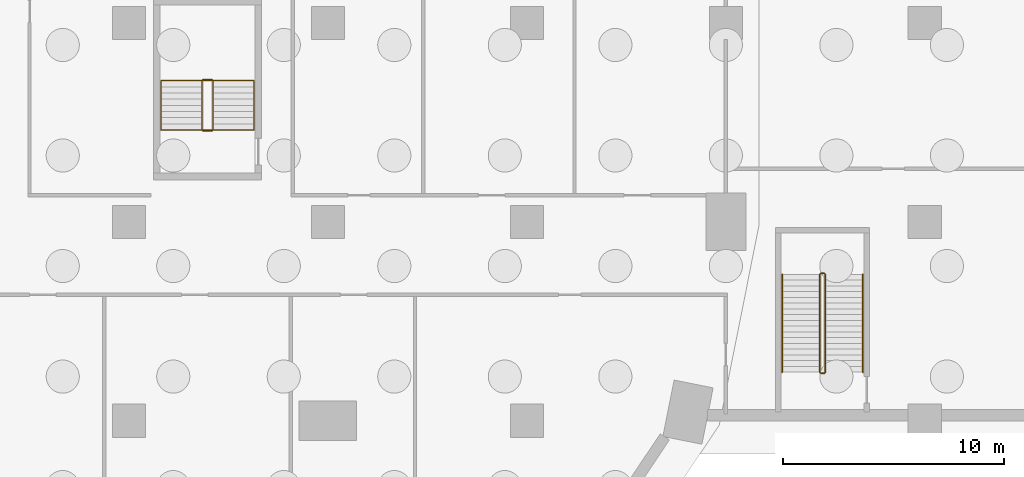
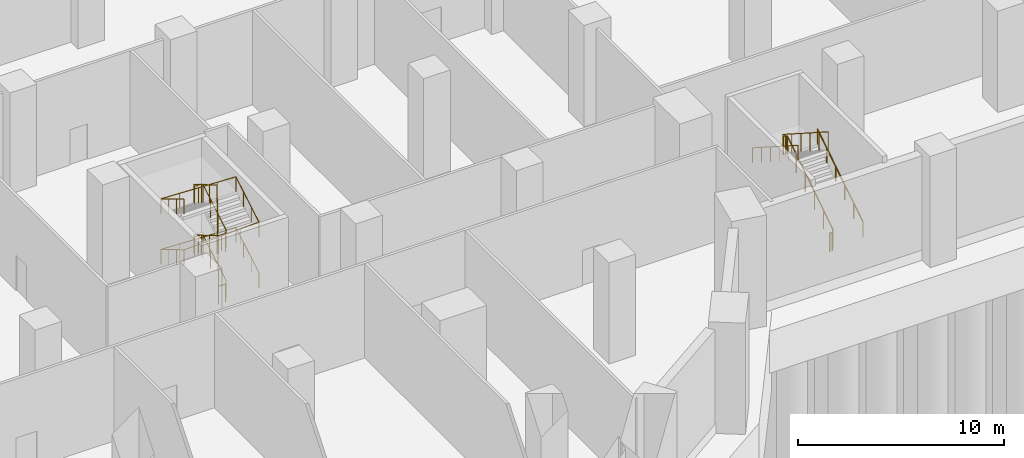
# One storey, part 17 of 25: 8 railings.
"""IFC4 building model written with IfcOpenShell, lengths in metres."""

from ifc_helpers import new_model, si_unit, direction, frame, origin, origin_2d, place, context, subcontext, project, spatial, circle, extrude, material, type_object, element, save


model = new_model("IFC4")

# Units and contexts
model_context = context("Model", 3, precision=1e-05, world=origin(), true_north=direction((0.0, 1.0)))
body_context = subcontext(model_context, "Body", "Model", "MODEL_VIEW")
ifc_project = project(units=[si_unit("LENGTHUNIT", "METRE"), si_unit("AREAUNIT", "SQUARE_METRE"), si_unit("VOLUMEUNIT", "CUBIC_METRE"), si_unit("PLANEANGLEUNIT", "RADIAN"), si_unit("MASSUNIT", "GRAM", prefix="KILO")], contexts=[model_context])

# Site, building, storey
site_placement = place(None, origin())
site = spatial("IfcSite", under=ifc_project, at=site_placement, CompositionType="ELEMENT")
building_placement = place(site_placement, origin())
building = spatial("IfcBuilding", under=site, at=building_placement, Name="Hunhe Ridgeline Campus", CompositionType="ELEMENT")
storey_placement = place(building_placement, frame((0.0, 0.0, -6.0)))
storey = spatial("IfcBuildingStorey", under=building, at=storey_placement, Name="B1", CompositionType="ELEMENT", Elevation=-6.0)

# Railings
ifc_material_1 = material(Name="Steel Q235", Category="steel")
railing_type_1 = type_object("IfcRailingType", Name="Podium stair guard 1100", PredefinedType="GUARDRAIL", material=ifc_material_1)
railing_1_placement = place(storey_placement, frame((49.5, 20.199951171875, 0.166748046875)))
element("IfcRailing", 1, at=railing_1_placement, inside=storey, type_object=railing_type_1, Name="B1 PS1 stair guard 1", PredefinedType="GUARDRAIL", context=body_context, shape_type="SweptSolid", body=[
    extrude(circle(Radius=0.02392578125, at=origin_2d()), frame((0.0, 0.0, 1.076171875), z_axis=(0.0, 0.841895389996, 0.53964076227), x_axis=(-1.0, 0.0, 0.0)), (0.0, 0.0, 1.0), 5.250244140625),
    extrude(circle(Radius=0.02099609375, at=origin_2d()), origin(), (0.0, 0.0, 1.0), 1.052001953125),
    extrude(circle(Radius=0.02099609375, at=origin_2d()), frame((0.0, 0.884033203125, 0.566650390625)), (0.0, 0.0, 1.0), 1.052001953125),
    extrude(circle(Radius=0.02099609375, at=origin_2d()), frame((0.0, 1.76806640625, 1.13330078125)), (0.0, 0.0, 1.0), 1.052001953125),
    extrude(circle(Radius=0.02099609375, at=origin_2d()), frame((0.0, 2.652099609375, 1.699951171875)), (0.0, 0.0, 1.0), 1.052001953125),
    extrude(circle(Radius=0.02099609375, at=origin_2d()), frame((0.0, 3.5361328125, 2.2666015625)), (0.0, 0.0, 1.0), 1.052001953125),
    extrude(circle(Radius=0.02099609375, at=origin_2d()), frame((0.0, 4.420166015625, 2.833251953125)), (0.0, 0.0, 1.0), 1.052001953125),
])
railing_2_placement = place(storey_placement, frame((49.449951171875, 24.669921875, 3.0)))
element("IfcRailing", 2, at=railing_2_placement, inside=storey, type_object=railing_type_1, Name="B1 PS1 stair guard 2", PredefinedType="GUARDRAIL", context=body_context, shape_type="SweptSolid", body=[
    extrude(circle(Radius=0.02392578125, at=origin_2d()), frame((0.0, 0.0, 1.076171875), z_axis=(-1.0, 0.0, 0.0), x_axis=(0.0, -1.0, 0.0)), (0.0, 0.0, 1.0), 0.14990234375),
    extrude(circle(Radius=0.02099609375, at=origin_2d()), origin(), (0.0, 0.0, 1.0), 1.052001953125),
    extrude(circle(Radius=0.02099609375, at=origin_2d()), frame((-0.14990234375, 0.0, 0.0)), (0.0, 0.0, 1.0), 1.052001953125),
])
railing_3_placement = place(storey_placement, frame((49.25, 24.6201171875, 3.166748046875)))
element("IfcRailing", 3, at=railing_3_placement, inside=storey, type_object=railing_type_1, Name="B1 PS1 stair guard 3", PredefinedType="GUARDRAIL", context=body_context, shape_type="SweptSolid", body=[
    extrude(circle(Radius=0.02392578125, at=origin_2d()), frame((0.0, 0.0, 1.076171875), z_axis=(0.0, -0.841895389996, 0.53964076227), x_axis=(1.0, 0.0, 0.0)), (0.0, 0.0, 1.0), 5.250244140625),
    extrude(circle(Radius=0.02099609375, at=origin_2d()), origin(), (0.0, 0.0, 1.0), 1.052001953125),
    extrude(circle(Radius=0.02099609375, at=origin_2d()), frame((0.0, -0.884033203125, 0.566650390625)), (0.0, 0.0, 1.0), 1.052001953125),
    extrude(circle(Radius=0.02099609375, at=origin_2d()), frame((0.0, -1.76806640625, 1.13330078125)), (0.0, 0.0, 1.0), 1.052001953125),
    extrude(circle(Radius=0.02099609375, at=origin_2d()), frame((0.0, -2.652099609375, 1.699951171875)), (0.0, 0.0, 1.0), 1.052001953125),
    extrude(circle(Radius=0.02099609375, at=origin_2d()), frame((0.0, -3.5361328125, 2.2666015625)), (0.0, 0.0, 1.0), 1.052001953125),
    extrude(circle(Radius=0.02099609375, at=origin_2d()), frame((0.0, -4.420166015625, 2.833251953125)), (0.0, 0.0, 1.0), 1.052001953125),
])
railing_4_placement = place(storey_placement, frame((49.449951171875, 20.14990234375, 0.0)))
element("IfcRailing", 4, at=railing_4_placement, inside=storey, type_object=railing_type_1, Name="B1 PS1 stair guard 4", PredefinedType="GUARDRAIL", context=body_context, shape_type="SweptSolid", body=[
    extrude(circle(Radius=0.02392578125, at=origin_2d()), frame((0.0, 0.0, 1.076171875), z_axis=(-1.0, 0.0, 0.0), x_axis=(0.0, -1.0, 0.0)), (0.0, 0.0, 1.0), 0.14990234375),
    extrude(circle(Radius=0.02099609375, at=origin_2d()), origin(), (0.0, 0.0, 1.0), 1.052001953125),
    extrude(circle(Radius=0.02099609375, at=origin_2d()), frame((-0.14990234375, 0.0, 0.0)), (0.0, 0.0, 1.0), 1.052001953125),
])
railing_type_2 = type_object("IfcRailingType", Name="Podium stair handrail", PredefinedType="HANDRAIL", material=ifc_material_1)
railing_5_placement = place(storey_placement, frame((51.199951171875, 20.199951171875, 0.166748046875)))
element("IfcRailing", 5, at=railing_5_placement, inside=storey, type_object=railing_type_2, Name="B1 PS1 stair handrail 1", PredefinedType="HANDRAIL", context=body_context, shape_type="SweptSolid", body=[
    extrude(circle(Radius=0.02392578125, at=origin_2d()), frame((0.0, 0.0, 0.8759765625), z_axis=(0.0, 0.841895389996, 0.53964076227), x_axis=(-1.0, 0.0, 0.0)), (0.0, 0.0, 1.0), 5.250244140625),
    extrude(circle(Radius=0.02099609375, at=origin_2d()), origin(), (0.0, 0.0, 1.0), 0.851806640625),
    extrude(circle(Radius=0.02099609375, at=origin_2d()), frame((0.0, 0.884033203125, 0.566650390625)), (0.0, 0.0, 1.0), 0.851806640625),
    extrude(circle(Radius=0.02099609375, at=origin_2d()), frame((0.0, 1.76806640625, 1.13330078125)), (0.0, 0.0, 1.0), 0.851806640625),
    extrude(circle(Radius=0.02099609375, at=origin_2d()), frame((0.0, 2.652099609375, 1.699951171875)), (0.0, 0.0, 1.0), 0.851806640625),
    extrude(circle(Radius=0.02099609375, at=origin_2d()), frame((0.0, 3.5361328125, 2.2666015625)), (0.0, 0.0, 1.0), 0.851806640625),
    extrude(circle(Radius=0.02099609375, at=origin_2d()), frame((0.0, 4.420166015625, 2.833251953125)), (0.0, 0.0, 1.0), 0.851806640625),
])
railing_6_placement = place(storey_placement, frame((47.550048828125, 24.6201171875, 3.166748046875)))
element("IfcRailing", 6, at=railing_6_placement, inside=storey, type_object=railing_type_2, Name="B1 PS1 stair handrail 2", PredefinedType="HANDRAIL", context=body_context, shape_type="SweptSolid", body=[
    extrude(circle(Radius=0.02392578125, at=origin_2d()), frame((0.0, 0.0, 0.8759765625), z_axis=(0.0, -0.841895389996, 0.53964076227), x_axis=(1.0, 0.0, 0.0)), (0.0, 0.0, 1.0), 5.250244140625),
    extrude(circle(Radius=0.02099609375, at=origin_2d()), origin(), (0.0, 0.0, 1.0), 0.851806640625),
    extrude(circle(Radius=0.02099609375, at=origin_2d()), frame((0.0, -0.884033203125, 0.566650390625)), (0.0, 0.0, 1.0), 0.851806640625),
    extrude(circle(Radius=0.02099609375, at=origin_2d()), frame((0.0, -1.76806640625, 1.13330078125)), (0.0, 0.0, 1.0), 0.851806640625),
    extrude(circle(Radius=0.02099609375, at=origin_2d()), frame((0.0, -2.652099609375, 1.699951171875)), (0.0, 0.0, 1.0), 0.851806640625),
    extrude(circle(Radius=0.02099609375, at=origin_2d()), frame((0.0, -3.5361328125, 2.2666015625)), (0.0, 0.0, 1.0), 0.851806640625),
    extrude(circle(Radius=0.02099609375, at=origin_2d()), frame((0.0, -4.420166015625, 2.833251953125)), (0.0, 0.0, 1.0), 0.851806640625),
])
ifc_material_2 = material(Name="Stainless steel balustrade", Category="steel")
railing_type_3 = type_object("IfcRailingType", Name="Stair guard 1100 stainless", PredefinedType="GUARDRAIL", material=ifc_material_2)
railing_7_placement = place(storey_placement, frame((21.800048828125, 31.14990234375, 0.166748046875)))
element("IfcRailing", 7, at=railing_7_placement, inside=storey, type_object=railing_type_3, Name="B1 stair W3 guard", PredefinedType="GUARDRAIL", context=body_context, shape_type="SweptSolid", body=[
    extrude(circle(Radius=0.02392578125, at=origin_2d()), frame((0.0, 0.0, 1.076171875), z_axis=(0.0, 0.859305625298, 0.511462454469), x_axis=(-1.0, 0.0, 0.0)), (0.0, 0.0, 1.0), 2.606689453125),
    extrude(circle(Radius=0.02392578125, at=origin_2d()), frame((0.0, 2.239990234375, 2.4091796875), z_axis=(-0.707106781187, 0.707106781187, 0.0), x_axis=(-0.707106781187, -0.707106781187, 0.0)), (0.0, 0.0, 1.0), 0.07080078125),
    extrude(circle(Radius=0.02392578125, at=origin_2d()), frame((-0.050048828125, 2.2900390625, 2.4091796875), z_axis=(-1.0, 0.0, 0.0), x_axis=(0.0, -1.0, 0.0)), (0.0, 0.0, 1.0), 0.39990234375),
    extrude(circle(Radius=0.02392578125, at=origin_2d()), frame((-0.449951171875, 2.2900390625, 2.4091796875), z_axis=(-0.27628659633, -0.27628659633, 0.920506074601), x_axis=(0.707106781187, -0.707106781187, 0.0)), (0.0, 0.0, 1.0), 0.18115234375),
    extrude(circle(Radius=0.02392578125, at=origin_2d()), frame((-0.5, 2.239990234375, 2.576171875), z_axis=(0.0, -0.859305625298, 0.511462454469), x_axis=(1.0, 0.0, 0.0)), (0.0, 0.0, 1.0), 2.606689453125),
    extrude(circle(Radius=0.02392578125, at=origin_2d()), frame((-0.5, 0.0, 3.9091796875), z_axis=(0.708833529934, -0.705375805398, 0.0), x_axis=(0.705375805398, 0.708833529934, 0.0)), (0.0, 0.0, 1.0), 0.070556640625),
    extrude(circle(Radius=0.02392578125, at=origin_2d()), frame((-0.449951171875, -0.0498046875, 3.9091796875), z_axis=(1.0, 0.0, 0.0), x_axis=(0.0, 1.0, 0.0)), (0.0, 0.0, 1.0), 0.39990234375),
    extrude(circle(Radius=0.02392578125, at=origin_2d()), frame((-0.050048828125, -0.0498046875, 3.9091796875), z_axis=(0.276389281352, 0.275041040955, 0.920848191041), x_axis=(-0.705375805398, 0.708833529934, 0.0)), (0.0, 0.0, 1.0), 0.18115234375),
    extrude(circle(Radius=0.02392578125, at=origin_2d()), frame((0.0, 0.0, 4.076171875), z_axis=(0.0, 0.859305625298, 0.511462454469), x_axis=(-1.0, 0.0, 0.0)), (0.0, 0.0, 1.0), 2.606689453125),
    extrude(circle(Radius=0.02392578125, at=origin_2d()), frame((0.0, 2.239990234375, 5.4091796875), z_axis=(-0.707106781187, 0.707106781187, 0.0), x_axis=(-0.707106781187, -0.707106781187, 0.0)), (0.0, 0.0, 1.0), 0.07080078125),
    extrude(circle(Radius=0.02392578125, at=origin_2d()), frame((-0.050048828125, 2.2900390625, 5.4091796875), z_axis=(-1.0, 0.0, 0.0), x_axis=(0.0, -1.0, 0.0)), (0.0, 0.0, 1.0), 0.39990234375),
    extrude(circle(Radius=0.02392578125, at=origin_2d()), frame((-0.449951171875, 2.2900390625, 5.4091796875), z_axis=(-0.27628659633, -0.27628659633, 0.920506074601), x_axis=(0.707106781187, -0.707106781187, 0.0)), (0.0, 0.0, 1.0), 0.18115234375),
    extrude(circle(Radius=0.02392578125, at=origin_2d()), frame((-0.5, 2.239990234375, 5.576171875), z_axis=(0.0, -0.859305625298, 0.511462454469), x_axis=(1.0, 0.0, 0.0)), (0.0, 0.0, 1.0), 2.606689453125),
    extrude(circle(Radius=0.02392578125, at=origin_2d()), frame((-0.5, 0.0, 6.9091796875), z_axis=(0.008340893838, -0.008300206551, -0.999930765634), x_axis=(1.0, 0.0, 0.0)), (0.0, 0.0, 1.0), 6.00048828125),
    extrude(circle(Radius=0.02392578125, at=origin_2d()), frame((-0.449951171875, -0.0498046875, 0.9091796875), z_axis=(1.0, 0.0, 0.0), x_axis=(0.0, 1.0, 0.0)), (0.0, 0.0, 1.0), 0.39990234375),
    extrude(circle(Radius=0.02099609375, at=origin_2d()), origin(), (0.0, 0.0, 1.0), 1.052001953125),
    extrude(circle(Radius=0.02099609375, at=origin_2d()), frame((0.0, 0.74658203125, 0.4443359375)), (0.0, 0.0, 1.0), 1.052001953125),
    extrude(circle(Radius=0.02099609375, at=origin_2d()), frame((0.0, 1.493408203125, 0.888916015625)), (0.0, 0.0, 1.0), 1.052001953125),
    extrude(circle(Radius=0.02099609375, at=origin_2d()), frame((0.0, 2.239990234375, 1.333251953125)), (0.0, 0.0, 1.0), 1.052001953125),
    extrude(circle(Radius=0.02099609375, at=origin_2d()), frame((-0.050048828125, 2.2900390625, 1.333251953125)), (0.0, 0.0, 1.0), 1.052001953125),
    extrude(circle(Radius=0.02099609375, at=origin_2d()), frame((-0.449951171875, 2.2900390625, 1.333251953125)), (0.0, 0.0, 1.0), 1.052001953125),
    extrude(circle(Radius=0.02099609375, at=origin_2d()), frame((-0.5, 2.239990234375, 1.5)), (0.0, 0.0, 1.0), 1.052001953125),
    extrude(circle(Radius=0.02099609375, at=origin_2d()), frame((-0.5, 1.493408203125, 1.9443359375)), (0.0, 0.0, 1.0), 1.052001953125),
    extrude(circle(Radius=0.02099609375, at=origin_2d()), frame((-0.5, 0.74658203125, 2.388916015625)), (0.0, 0.0, 1.0), 1.052001953125),
    extrude(circle(Radius=0.02099609375, at=origin_2d()), frame((-0.5, 0.0, 2.833251953125)), (0.0, 0.0, 1.0), 1.052001953125),
    extrude(circle(Radius=0.02099609375, at=origin_2d()), frame((-0.449951171875, -0.0498046875, 2.833251953125)), (0.0, 0.0, 1.0), 1.052001953125),
    extrude(circle(Radius=0.02099609375, at=origin_2d()), frame((-0.050048828125, -0.0498046875, 2.833251953125)), (0.0, 0.0, 1.0), 1.052001953125),
    extrude(circle(Radius=0.02099609375, at=origin_2d()), frame((0.0, 0.0, 3.0)), (0.0, 0.0, 1.0), 1.052001953125),
    extrude(circle(Radius=0.02099609375, at=origin_2d()), frame((0.0, 0.74658203125, 3.4443359375)), (0.0, 0.0, 1.0), 1.052001953125),
    extrude(circle(Radius=0.02099609375, at=origin_2d()), frame((0.0, 1.493408203125, 3.888916015625)), (0.0, 0.0, 1.0), 1.052001953125),
    extrude(circle(Radius=0.02099609375, at=origin_2d()), frame((0.0, 2.239990234375, 4.333251953125)), (0.0, 0.0, 1.0), 1.052001953125),
    extrude(circle(Radius=0.02099609375, at=origin_2d()), frame((-0.050048828125, 2.2900390625, 4.333251953125)), (0.0, 0.0, 1.0), 1.052001953125),
    extrude(circle(Radius=0.02099609375, at=origin_2d()), frame((-0.449951171875, 2.2900390625, 4.333251953125)), (0.0, 0.0, 1.0), 1.052001953125),
    extrude(circle(Radius=0.02099609375, at=origin_2d()), frame((-0.5, 2.239990234375, 4.5)), (0.0, 0.0, 1.0), 1.052001953125),
    extrude(circle(Radius=0.02099609375, at=origin_2d()), frame((-0.5, 1.493408203125, 4.9443359375)), (0.0, 0.0, 1.0), 1.052001953125),
    extrude(circle(Radius=0.02099609375, at=origin_2d()), frame((-0.5, 0.74658203125, 5.388916015625)), (0.0, 0.0, 1.0), 1.052001953125),
    extrude(circle(Radius=0.02099609375, at=origin_2d()), frame((-0.5, 0.0, 5.833251953125)), (0.0, 0.0, 1.0), 1.052001953125),
    extrude(circle(Radius=0.02099609375, at=origin_2d()), frame((-0.49169921875, -0.00830078125, 4.833251953125)), (0.0, 0.0, 1.0), 1.052001953125),
    extrude(circle(Radius=0.02099609375, at=origin_2d()), frame((-0.4833984375, -0.0166015625, 3.833251953125)), (0.0, 0.0, 1.0), 1.052001953125),
    extrude(circle(Radius=0.02099609375, at=origin_2d()), frame((-0.47509765625, -0.02490234375, 2.833251953125)), (0.0, 0.0, 1.0), 1.052001953125),
    extrude(circle(Radius=0.02099609375, at=origin_2d()), frame((-0.466552734375, -0.033203125, 1.833251953125)), (0.0, 0.0, 1.0), 1.052001953125),
    extrude(circle(Radius=0.02099609375, at=origin_2d()), frame((-0.458251953125, -0.04150390625, 0.833251953125)), (0.0, 0.0, 1.0), 1.052001953125),
    extrude(circle(Radius=0.02099609375, at=origin_2d()), frame((-0.449951171875, -0.0498046875, -0.166748046875)), (0.0, 0.0, 1.0), 1.052001953125),
    extrude(circle(Radius=0.02099609375, at=origin_2d()), frame((-0.050048828125, -0.0498046875, -0.166748046875)), (0.0, 0.0, 1.0), 1.052001953125),
])
ifc_material_3 = material(Name="Stainless steel handrail", Category="steel")
railing_type_4 = type_object("IfcRailingType", Name="Stair handrail 900 stainless", PredefinedType="HANDRAIL", material=ifc_material_3)
railing_8_placement = place(storey_placement, frame((23.64990234375, 31.14990234375, 0.166748046875)))
element("IfcRailing", 8, at=railing_8_placement, inside=storey, type_object=railing_type_4, Name="B1 stair W3 handrail", PredefinedType="HANDRAIL", context=body_context, shape_type="SweptSolid", body=[
    extrude(circle(Radius=0.02392578125, at=origin_2d()), frame((0.0, 0.0, 0.8759765625), z_axis=(0.0, 0.859305625298, 0.511462454469), x_axis=(-1.0, 0.0, 0.0)), (0.0, 0.0, 1.0), 2.606689453125),
    extrude(circle(Radius=0.02392578125, at=origin_2d()), frame((0.0, 2.239990234375, 2.208984375), z_axis=(-0.999212791134, 0.0, 0.039671123429), x_axis=(0.0, -1.0, 0.0)), (0.0, 0.0, 1.0), 4.203369140625),
    extrude(circle(Radius=0.02392578125, at=origin_2d()), frame((-4.199951171875, 2.239990234375, 2.3759765625), z_axis=(0.0, -0.859305625298, 0.511462454469), x_axis=(1.0, 0.0, 0.0)), (0.0, 0.0, 1.0), 2.606689453125),
    extrude(circle(Radius=0.02392578125, at=origin_2d()), frame((-4.199951171875, 0.0, 3.708984375), z_axis=(0.999212791134, 0.0, 0.039671123429), x_axis=(0.0, 1.0, 0.0)), (0.0, 0.0, 1.0), 4.203369140625),
    extrude(circle(Radius=0.02392578125, at=origin_2d()), frame((0.0, 0.0, 3.8759765625), z_axis=(0.0, 0.859305625298, 0.511462454469), x_axis=(-1.0, 0.0, 0.0)), (0.0, 0.0, 1.0), 2.606689453125),
    extrude(circle(Radius=0.02392578125, at=origin_2d()), frame((0.0, 2.239990234375, 5.208984375), z_axis=(-0.999212791134, 0.0, 0.039671123429), x_axis=(0.0, -1.0, 0.0)), (0.0, 0.0, 1.0), 4.203369140625),
    extrude(circle(Radius=0.02392578125, at=origin_2d()), frame((-4.199951171875, 2.239990234375, 5.3759765625), z_axis=(0.0, -0.859305625298, 0.511462454469), x_axis=(1.0, 0.0, 0.0)), (0.0, 0.0, 1.0), 2.606689453125),
    extrude(circle(Radius=0.02099609375, at=origin_2d()), origin(), (0.0, 0.0, 1.0), 0.851806640625),
    extrude(circle(Radius=0.02099609375, at=origin_2d()), frame((0.0, 0.74658203125, 0.4443359375)), (0.0, 0.0, 1.0), 0.851806640625),
    extrude(circle(Radius=0.02099609375, at=origin_2d()), frame((0.0, 1.493408203125, 0.888916015625)), (0.0, 0.0, 1.0), 0.851806640625),
    extrude(circle(Radius=0.02099609375, at=origin_2d()), frame((0.0, 2.239990234375, 1.333251953125)), (0.0, 0.0, 1.0), 0.851806640625),
    extrude(circle(Radius=0.02099609375, at=origin_2d()), frame((-1.050048828125, 2.239990234375, 1.375)), (0.0, 0.0, 1.0), 0.851806640625),
    extrude(circle(Radius=0.02099609375, at=origin_2d()), frame((-2.10009765625, 2.239990234375, 1.41650390625)), (0.0, 0.0, 1.0), 0.851806640625),
    extrude(circle(Radius=0.02099609375, at=origin_2d()), frame((-3.14990234375, 2.239990234375, 1.458251953125)), (0.0, 0.0, 1.0), 0.851806640625),
    extrude(circle(Radius=0.02099609375, at=origin_2d()), frame((-4.199951171875, 2.239990234375, 1.5)), (0.0, 0.0, 1.0), 0.851806640625),
    extrude(circle(Radius=0.02099609375, at=origin_2d()), frame((-4.199951171875, 1.493408203125, 1.9443359375)), (0.0, 0.0, 1.0), 0.851806640625),
    extrude(circle(Radius=0.02099609375, at=origin_2d()), frame((-4.199951171875, 0.74658203125, 2.388916015625)), (0.0, 0.0, 1.0), 0.851806640625),
    extrude(circle(Radius=0.02099609375, at=origin_2d()), frame((-4.199951171875, 0.0, 2.833251953125)), (0.0, 0.0, 1.0), 0.851806640625),
    extrude(circle(Radius=0.02099609375, at=origin_2d()), frame((-3.14990234375, 0.0, 2.875)), (0.0, 0.0, 1.0), 0.851806640625),
    extrude(circle(Radius=0.02099609375, at=origin_2d()), frame((-2.10009765625, 0.0, 2.91650390625)), (0.0, 0.0, 1.0), 0.851806640625),
    extrude(circle(Radius=0.02099609375, at=origin_2d()), frame((-1.050048828125, 0.0, 2.958251953125)), (0.0, 0.0, 1.0), 0.851806640625),
    extrude(circle(Radius=0.02099609375, at=origin_2d()), frame((0.0, 0.0, 3.0)), (0.0, 0.0, 1.0), 0.851806640625),
    extrude(circle(Radius=0.02099609375, at=origin_2d()), frame((0.0, 0.74658203125, 3.4443359375)), (0.0, 0.0, 1.0), 0.851806640625),
    extrude(circle(Radius=0.02099609375, at=origin_2d()), frame((0.0, 1.493408203125, 3.888916015625)), (0.0, 0.0, 1.0), 0.851806640625),
    extrude(circle(Radius=0.02099609375, at=origin_2d()), frame((0.0, 2.239990234375, 4.333251953125)), (0.0, 0.0, 1.0), 0.851806640625),
    extrude(circle(Radius=0.02099609375, at=origin_2d()), frame((-1.050048828125, 2.239990234375, 4.375)), (0.0, 0.0, 1.0), 0.851806640625),
    extrude(circle(Radius=0.02099609375, at=origin_2d()), frame((-2.10009765625, 2.239990234375, 4.41650390625)), (0.0, 0.0, 1.0), 0.851806640625),
    extrude(circle(Radius=0.02099609375, at=origin_2d()), frame((-3.14990234375, 2.239990234375, 4.458251953125)), (0.0, 0.0, 1.0), 0.851806640625),
    extrude(circle(Radius=0.02099609375, at=origin_2d()), frame((-4.199951171875, 2.239990234375, 4.5)), (0.0, 0.0, 1.0), 0.851806640625),
    extrude(circle(Radius=0.02099609375, at=origin_2d()), frame((-4.199951171875, 1.493408203125, 4.9443359375)), (0.0, 0.0, 1.0), 0.851806640625),
    extrude(circle(Radius=0.02099609375, at=origin_2d()), frame((-4.199951171875, 0.74658203125, 5.388916015625)), (0.0, 0.0, 1.0), 0.851806640625),
    extrude(circle(Radius=0.02099609375, at=origin_2d()), frame((-4.199951171875, 0.0, 5.833251953125)), (0.0, 0.0, 1.0), 0.851806640625),
])

save(model, "model.ifc")
